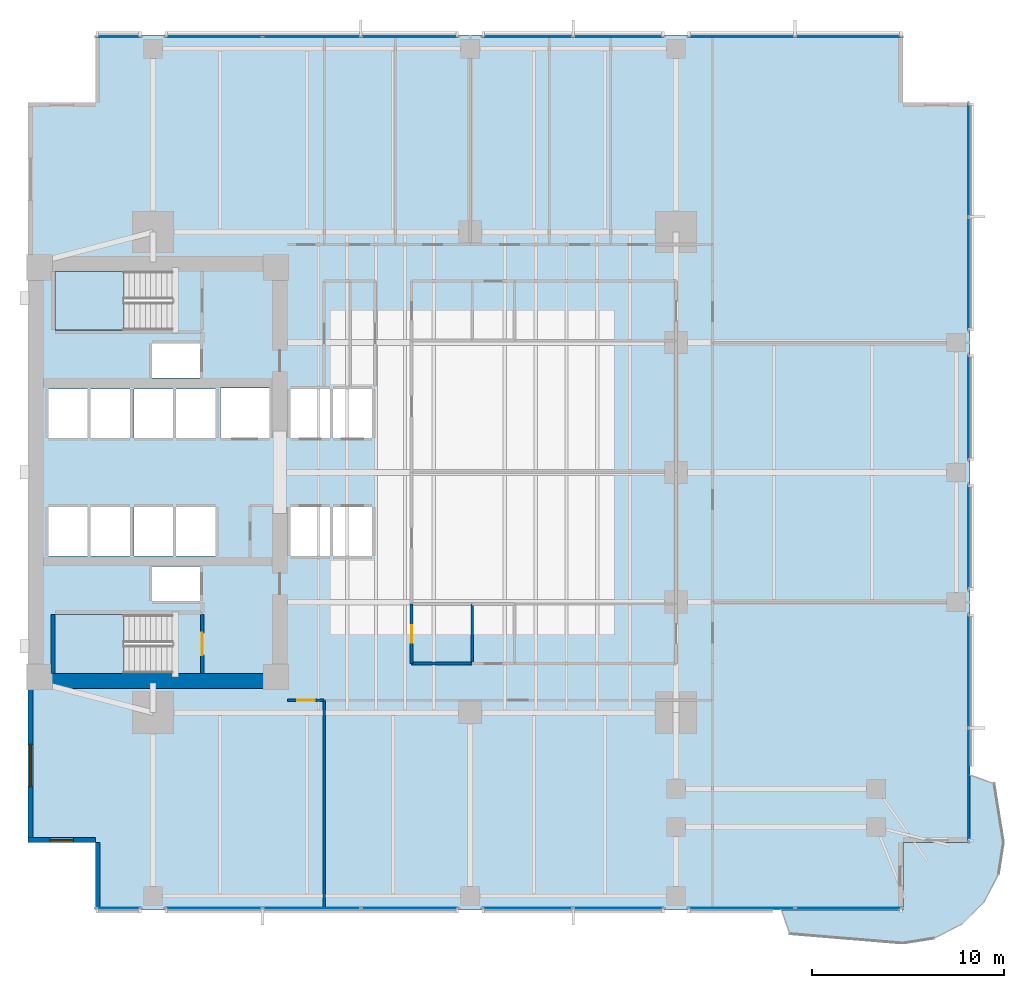
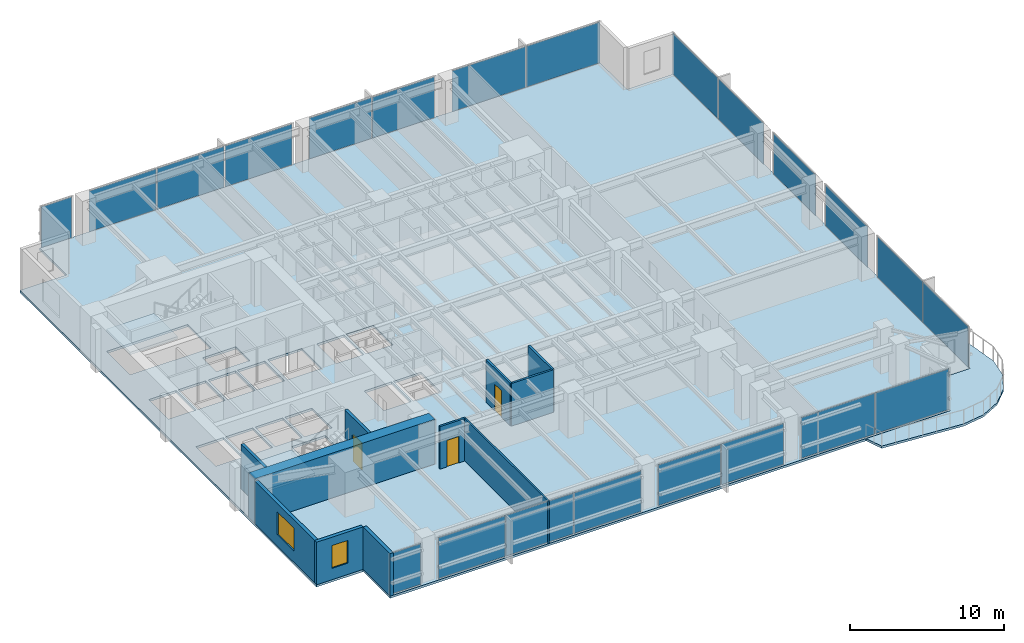
# One storey, part 7 of 15: 22 plates, 11 walls, 4 slabs, 3 doors, 2 windows, 5 openings, 14 elements without a shape of their own.
"""IFC4 building model written with IfcOpenShell, lengths in metres."""

from ifc_helpers import new_model, si_unit, direction, frame, frame_2d, origin, origin_2d, place, context, subcontext, project, spatial, polyline, rectangle, outline, extrude, material, layer, layer_set, type_object, element, fill, aggregate, save


model = new_model("IFC4")

# Units and contexts
model_context = context("Model", 3, precision=1e-05, world=origin(), true_north=direction((0.0, 1.0)))
body_context = subcontext(model_context, "Body", "Model", "MODEL_VIEW")
ifc_project = project(units=[si_unit("LENGTHUNIT", "METRE"), si_unit("AREAUNIT", "SQUARE_METRE"), si_unit("VOLUMEUNIT", "CUBIC_METRE"), si_unit("PLANEANGLEUNIT", "RADIAN"), si_unit("MASSUNIT", "GRAM", prefix="KILO")], contexts=[model_context])

# Site, building, storey
site_placement = place(None, origin())
site = spatial("IfcSite", under=ifc_project, at=site_placement, CompositionType="ELEMENT")
building_placement = place(site_placement, origin())
building = spatial("IfcBuilding", under=site, at=building_placement, Name="Kinhvarn Gate Tower", CompositionType="ELEMENT")
storey_placement = place(building_placement, frame((0.0, 0.0, 54.0)))
storey = spatial("IfcBuildingStorey", under=building, at=storey_placement, Name="L13", CompositionType="ELEMENT", Elevation=54.0)

# Curtain wall, plate
ifc_material_1 = material(Name="Anodised aluminium AW-6063", Category="aluminium")
ifc_layer_1 = layer(ifc_material_1, 0.179931640625)
ifc_layer_set_1 = layer_set([ifc_layer_1], Name="Anodised aluminium AW-6063")
curtain_wall_type = type_object("IfcCurtainWallType", Name="CW-SYS-2", PredefinedType="NOTDEFINED", material=ifc_layer_set_1)
curtain_wall_1_placement = place(storey_placement, origin())
curtain_wall_1 = element("IfcCurtainWall", 1, at=curtain_wall_1_placement, inside=storey, type_object=curtain_wall_type, Name="Curtain Wall CW2 (L13)", PredefinedType="NOTDEFINED")
ifc_material_2 = material(Name="Clear low-e double glazing", Category="glass")
ifc_layer_2 = layer(ifc_material_2, 0.031982421875)
ifc_layer_set_2 = layer_set([ifc_layer_2], Name="Clear low-e double glazing")
plate_type = type_object("IfcPlateType", Name="CW-PNL-VIS", PredefinedType="CURTAIN_PANEL", material=ifc_layer_set_2)
plate_1_placement = place(storey_placement, frame((9.2099609375, 2.590087890625, 0.070068359375), z_axis=(0.0, 0.0, 1.0), x_axis=(1.0, 0.0, 0.0)))
plate_1 = element("IfcPlate", 2, at=plate_1_placement, type_object=plate_type, Name="CW2 panel 1.1", PredefinedType="CURTAIN_PANEL", context=body_context, shape_type="SweptSolid", body=[
    extrude(rectangle(XDim=2.280029296875, YDim=0.031982421875, at=origin_2d()), origin(), (0.0, 0.0, 1.0), 3.22998046875),
])
aggregate(curtain_wall_1, [plate_1])

# Curtain wall, plates
curtain_wall_2_placement = place(storey_placement, origin())
curtain_wall_2 = element("IfcCurtainWall", 3, at=curtain_wall_2_placement, inside=storey, type_object=curtain_wall_type, Name="Curtain Wall CW2 (L13)", PredefinedType="NOTDEFINED")
plate_2_placement = place(storey_placement, frame((14.154052734375, 2.590087890625, 0.070068359375), z_axis=(0.0, 0.0, 1.0), x_axis=(1.0, 0.0, 0.0)))
plate_2 = element("IfcPlate", 4, at=plate_2_placement, type_object=plate_type, Name="CW2 panel 1.1", PredefinedType="CURTAIN_PANEL", context=body_context, shape_type="SweptSolid", body=[
    extrude(rectangle(XDim=5.00830078125, YDim=0.031982421875, at=origin_2d()), origin(), (0.0, 0.0, 1.0), 3.22998046875),
])
plate_3_placement = place(storey_placement, frame((19.25, 2.590087890625, 0.070068359375), z_axis=(0.0, 0.0, 1.0), x_axis=(1.0, 0.0, 0.0)))
plate_3 = element("IfcPlate", 5, at=plate_3_placement, type_object=plate_type, Name="CW2 panel 2.1", PredefinedType="CURTAIN_PANEL", context=body_context, shape_type="SweptSolid", body=[
    extrude(rectangle(XDim=5.043212890625, YDim=0.031982421875, at=origin_2d()), origin(), (0.0, 0.0, 1.0), 3.22998046875),
])
plate_4_placement = place(storey_placement, frame((24.345947265625, 2.590087890625, 0.070068359375), z_axis=(0.0, 0.0, 1.0), x_axis=(1.0, 0.0, 0.0)))
plate_4 = element("IfcPlate", 6, at=plate_4_placement, type_object=plate_type, Name="CW2 panel 3.1", PredefinedType="CURTAIN_PANEL", context=body_context, shape_type="SweptSolid", body=[
    extrude(rectangle(XDim=5.00830078125, YDim=0.031982421875, at=origin_2d()), origin(), (0.0, 0.0, 1.0), 3.22998046875),
])
aggregate(curtain_wall_2, [plate_2, plate_3, plate_4])

curtain_wall_3_placement = place(storey_placement, origin())
curtain_wall_3 = element("IfcCurtainWall", 7, at=curtain_wall_3_placement, inside=storey, type_object=curtain_wall_type, Name="Curtain Wall CW2 (L13)", PredefinedType="NOTDEFINED")
plate_5_placement = place(storey_placement, frame((30.482421875, 2.590087890625, 0.070068359375), z_axis=(0.0, 0.0, 1.0), x_axis=(1.0, 0.0, 0.0)))
plate_5 = element("IfcPlate", 8, at=plate_5_placement, type_object=plate_type, Name="CW2 panel 1.1", PredefinedType="CURTAIN_PANEL", context=body_context, shape_type="SweptSolid", body=[
    extrude(rectangle(XDim=4.6650390625, YDim=0.031982421875, at=origin_2d()), origin(), (0.0, 0.0, 1.0), 3.22998046875),
])
plate_6_placement = place(storey_placement, frame((35.217529296875, 2.590087890625, 0.070068359375), z_axis=(0.0, 0.0, 1.0), x_axis=(1.0, 0.0, 0.0)))
plate_6 = element("IfcPlate", 9, at=plate_6_placement, type_object=plate_type, Name="CW2 panel 2.1", PredefinedType="CURTAIN_PANEL", context=body_context, shape_type="SweptSolid", body=[
    extrude(rectangle(XDim=4.6650390625, YDim=0.031982421875, at=origin_2d()), origin(), (0.0, 0.0, 1.0), 3.22998046875),
])
aggregate(curtain_wall_3, [plate_5, plate_6])

curtain_wall_4_placement = place(storey_placement, origin())
curtain_wall_4 = element("IfcCurtainWall", 10, at=curtain_wall_4_placement, inside=storey, type_object=curtain_wall_type, Name="Curtain Wall CW2 (L13)", PredefinedType="NOTDEFINED")
plate_7_placement = place(storey_placement, frame((41.6025390625, 2.590087890625, 0.070068359375), z_axis=(0.0, 0.0, 1.0), x_axis=(1.0, 0.0, 0.0)))
plate_7 = element("IfcPlate", 11, at=plate_7_placement, type_object=plate_type, Name="CW2 panel 1.1", PredefinedType="CURTAIN_PANEL", context=body_context, shape_type="SweptSolid", body=[
    extrude(rectangle(XDim=5.5048828125, YDim=0.031982421875, at=origin_2d()), origin(), (0.0, 0.0, 1.0), 3.22998046875),
])
plate_8_placement = place(storey_placement, frame((47.177490234375, 2.590087890625, 0.070068359375), z_axis=(0.0, 0.0, 1.0), x_axis=(1.0, 0.0, 0.0)))
plate_8 = element("IfcPlate", 12, at=plate_8_placement, type_object=plate_type, Name="CW2 panel 2.1", PredefinedType="CURTAIN_PANEL", context=body_context, shape_type="SweptSolid", body=[
    extrude(rectangle(XDim=5.5048828125, YDim=0.031982421875, at=origin_2d()), origin(), (0.0, 0.0, 1.0), 3.22998046875),
])
aggregate(curtain_wall_4, [plate_7, plate_8])

curtain_wall_5_placement = place(storey_placement, origin())
curtain_wall_5 = element("IfcCurtainWall", 13, at=curtain_wall_5_placement, inside=storey, type_object=curtain_wall_type, Name="Curtain Wall CW2 (L13)", PredefinedType="NOTDEFINED")
plate_9_placement = place(storey_placement, frame((47.177490234375, 47.909912109375, 0.070068359375), z_axis=(0.0, 0.0, 1.0), x_axis=(-1.0, 0.0, 0.0)))
plate_9 = element("IfcPlate", 14, at=plate_9_placement, type_object=plate_type, Name="CW2 panel 1.1", PredefinedType="CURTAIN_PANEL", context=body_context, shape_type="SweptSolid", body=[
    extrude(rectangle(XDim=5.5048828125, YDim=0.031982421875, at=origin_2d()), origin(), (0.0, 0.0, 1.0), 3.22998046875),
])
plate_10_placement = place(storey_placement, frame((41.6025390625, 47.909912109375, 0.070068359375), z_axis=(0.0, 0.0, 1.0), x_axis=(-1.0, 0.0, 0.0)))
plate_10 = element("IfcPlate", 15, at=plate_10_placement, type_object=plate_type, Name="CW2 panel 2.1", PredefinedType="CURTAIN_PANEL", context=body_context, shape_type="SweptSolid", body=[
    extrude(rectangle(XDim=5.5048828125, YDim=0.031982421875, at=origin_2d()), origin(), (0.0, 0.0, 1.0), 3.22998046875),
])
aggregate(curtain_wall_5, [plate_9, plate_10])

curtain_wall_6_placement = place(storey_placement, origin())
curtain_wall_6 = element("IfcCurtainWall", 16, at=curtain_wall_6_placement, inside=storey, type_object=curtain_wall_type, Name="Curtain Wall CW2 (L13)", PredefinedType="NOTDEFINED")
plate_11_placement = place(storey_placement, frame((35.217529296875, 47.909912109375, 0.070068359375), z_axis=(0.0, 0.0, 1.0), x_axis=(-1.0, 0.0, 0.0)))
plate_11 = element("IfcPlate", 17, at=plate_11_placement, type_object=plate_type, Name="CW2 panel 1.1", PredefinedType="CURTAIN_PANEL", context=body_context, shape_type="SweptSolid", body=[
    extrude(rectangle(XDim=4.6650390625, YDim=0.031982421875, at=origin_2d()), origin(), (0.0, 0.0, 1.0), 3.22998046875),
])
plate_12_placement = place(storey_placement, frame((30.482421875, 47.909912109375, 0.070068359375), z_axis=(0.0, 0.0, 1.0), x_axis=(-1.0, 0.0, 0.0)))
plate_12 = element("IfcPlate", 18, at=plate_12_placement, type_object=plate_type, Name="CW2 panel 2.1", PredefinedType="CURTAIN_PANEL", context=body_context, shape_type="SweptSolid", body=[
    extrude(rectangle(XDim=4.6650390625, YDim=0.031982421875, at=origin_2d()), origin(), (0.0, 0.0, 1.0), 3.22998046875),
])
aggregate(curtain_wall_6, [plate_11, plate_12])

curtain_wall_7_placement = place(storey_placement, origin())
curtain_wall_7 = element("IfcCurtainWall", 19, at=curtain_wall_7_placement, inside=storey, type_object=curtain_wall_type, Name="Curtain Wall CW2 (L13)", PredefinedType="NOTDEFINED")
plate_13_placement = place(storey_placement, frame((24.345947265625, 47.909912109375, 0.070068359375), z_axis=(0.0, 0.0, 1.0), x_axis=(-1.0, 0.0, 0.0)))
plate_13 = element("IfcPlate", 20, at=plate_13_placement, type_object=plate_type, Name="CW2 panel 1.1", PredefinedType="CURTAIN_PANEL", context=body_context, shape_type="SweptSolid", body=[
    extrude(rectangle(XDim=5.00830078125, YDim=0.031982421875, at=origin_2d()), origin(), (0.0, 0.0, 1.0), 3.22998046875),
])
plate_14_placement = place(storey_placement, frame((19.25, 47.909912109375, 0.070068359375), z_axis=(0.0, 0.0, 1.0), x_axis=(-1.0, 0.0, 0.0)))
plate_14 = element("IfcPlate", 21, at=plate_14_placement, type_object=plate_type, Name="CW2 panel 2.1", PredefinedType="CURTAIN_PANEL", context=body_context, shape_type="SweptSolid", body=[
    extrude(rectangle(XDim=5.043212890625, YDim=0.031982421875, at=origin_2d()), origin(), (0.0, 0.0, 1.0), 3.22998046875),
])
plate_15_placement = place(storey_placement, frame((14.154052734375, 47.909912109375, 0.070068359375), z_axis=(0.0, 0.0, 1.0), x_axis=(-1.0, 0.0, 0.0)))
plate_15 = element("IfcPlate", 22, at=plate_15_placement, type_object=plate_type, Name="CW2 panel 3.1", PredefinedType="CURTAIN_PANEL", context=body_context, shape_type="SweptSolid", body=[
    extrude(rectangle(XDim=5.00830078125, YDim=0.031982421875, at=origin_2d()), origin(), (0.0, 0.0, 1.0), 3.22998046875),
])
aggregate(curtain_wall_7, [plate_13, plate_14, plate_15])

# Curtain wall, plate
curtain_wall_8_placement = place(storey_placement, origin())
curtain_wall_8 = element("IfcCurtainWall", 23, at=curtain_wall_8_placement, inside=storey, type_object=curtain_wall_type, Name="Curtain Wall CW2 (L13)", PredefinedType="NOTDEFINED")
plate_16_placement = place(storey_placement, frame((9.2099609375, 47.909912109375, 0.070068359375), z_axis=(0.0, 0.0, 1.0), x_axis=(-1.0, 0.0, 0.0)))
plate_16 = element("IfcPlate", 24, at=plate_16_placement, type_object=plate_type, Name="CW2 panel 1.1", PredefinedType="CURTAIN_PANEL", context=body_context, shape_type="SweptSolid", body=[
    extrude(rectangle(XDim=2.280029296875, YDim=0.031982421875, at=origin_2d()), origin(), (0.0, 0.0, 1.0), 3.22998046875),
])
aggregate(curtain_wall_8, [plate_16])

# Curtain wall, plates
curtain_wall_9_placement = place(storey_placement, origin())
curtain_wall_9 = element("IfcCurtainWall", 25, at=curtain_wall_9_placement, inside=storey, type_object=curtain_wall_type, Name="Curtain Wall CW2 (L13)", PredefinedType="NOTDEFINED")
plate_17_placement = place(storey_placement, frame((53.409912109375, 8.99755859375, 0.070068359375), z_axis=(0.0, 0.0, 1.0), x_axis=(0.0, 1.0, 0.0)))
plate_17 = element("IfcPlate", 26, at=plate_17_placement, type_object=plate_type, Name="CW2 panel 1.1", PredefinedType="CURTAIN_PANEL", context=body_context, shape_type="SweptSolid", body=[
    extrude(rectangle(XDim=5.85498046875, YDim=0.031982421875, at=origin_2d()), origin(), (0.0, 0.0, 1.0), 3.22998046875),
])
plate_18_placement = place(storey_placement, frame((53.409912109375, 14.922607421875, 0.070068359375), z_axis=(0.0, 0.0, 1.0), x_axis=(0.0, 1.0, 0.0)))
plate_18 = element("IfcPlate", 27, at=plate_18_placement, type_object=plate_type, Name="CW2 panel 2.1", PredefinedType="CURTAIN_PANEL", context=body_context, shape_type="SweptSolid", body=[
    extrude(rectangle(XDim=5.85498046875, YDim=0.031982421875, at=origin_2d()), origin(), (0.0, 0.0, 1.0), 3.22998046875),
])
aggregate(curtain_wall_9, [plate_17, plate_18])

# Curtain wall, plate
curtain_wall_10_placement = place(storey_placement, origin())
curtain_wall_10 = element("IfcCurtainWall", 28, at=curtain_wall_10_placement, inside=storey, type_object=curtain_wall_type, Name="Curtain Wall CW2 (L13)", PredefinedType="NOTDEFINED")
plate_19_placement = place(storey_placement, frame((53.409912109375, 21.875, 0.070068359375), z_axis=(0.0, 0.0, 1.0), x_axis=(0.0, 1.0, 0.0)))
plate_19 = element("IfcPlate", 29, at=plate_19_placement, type_object=plate_type, Name="CW2 panel 1.1", PredefinedType="CURTAIN_PANEL", context=body_context, shape_type="SweptSolid", body=[
    extrude(rectangle(XDim=5.449951171875, YDim=0.031982421875, at=origin_2d()), origin(), (0.0, 0.0, 1.0), 3.22998046875),
])
aggregate(curtain_wall_10, [plate_19])

curtain_wall_11_placement = place(storey_placement, origin())
curtain_wall_11 = element("IfcCurtainWall", 30, at=curtain_wall_11_placement, inside=storey, type_object=curtain_wall_type, Name="Curtain Wall CW2 (L13)", PredefinedType="NOTDEFINED")
plate_20_placement = place(storey_placement, frame((53.409912109375, 28.625, 0.070068359375), z_axis=(0.0, 0.0, 1.0), x_axis=(0.0, 1.0, 0.0)))
plate_20 = element("IfcPlate", 31, at=plate_20_placement, type_object=plate_type, Name="CW2 panel 1.1", PredefinedType="CURTAIN_PANEL", context=body_context, shape_type="SweptSolid", body=[
    extrude(rectangle(XDim=5.449951171875, YDim=0.031982421875, at=origin_2d()), origin(), (0.0, 0.0, 1.0), 3.22998046875),
])
aggregate(curtain_wall_11, [plate_20])

# Curtain wall, plates
curtain_wall_12_placement = place(storey_placement, origin())
curtain_wall_12 = element("IfcCurtainWall", 32, at=curtain_wall_12_placement, inside=storey, type_object=curtain_wall_type, Name="Curtain Wall CW2 (L13)", PredefinedType="NOTDEFINED")
plate_21_placement = place(storey_placement, frame((53.409912109375, 35.577392578125, 0.070068359375), z_axis=(0.0, 0.0, 1.0), x_axis=(0.0, 1.0, 0.0)))
plate_21 = element("IfcPlate", 33, at=plate_21_placement, type_object=plate_type, Name="CW2 panel 1.1", PredefinedType="CURTAIN_PANEL", context=body_context, shape_type="SweptSolid", body=[
    extrude(rectangle(XDim=5.85498046875, YDim=0.031982421875, at=origin_2d()), origin(), (0.0, 0.0, 1.0), 3.22998046875),
])
plate_22_placement = place(storey_placement, frame((53.409912109375, 41.50244140625, 0.070068359375), z_axis=(0.0, 0.0, 1.0), x_axis=(0.0, 1.0, 0.0)))
plate_22 = element("IfcPlate", 34, at=plate_22_placement, type_object=plate_type, Name="CW2 panel 2.1", PredefinedType="CURTAIN_PANEL", context=body_context, shape_type="SweptSolid", body=[
    extrude(rectangle(XDim=5.85498046875, YDim=0.031982421875, at=origin_2d()), origin(), (0.0, 0.0, 1.0), 3.22998046875),
])
aggregate(curtain_wall_12, [plate_21, plate_22])

# Slabs
ifc_material_3 = material(Name="Precast white architectural concrete C40/50", Category="concrete")
ifc_layer_3 = layer(ifc_material_3, 0.179931640625)
ifc_layer_set_3 = layer_set([ifc_layer_3], Name="Precast white architectural concrete C40/50")
slab_type_1 = type_object("IfcSlabType", Name="SLB-BAL-180", PredefinedType="FLOOR", material=ifc_layer_set_3)
slab_1_placement = place(storey_placement, frame((0.0, 0.0, -0.179931640625)))
element("IfcSlab", 35, at=slab_1_placement, inside=storey, type_object=slab_type_1, Name="S-Carve Curved Terrace Balcony Slab L13 (SE)", PredefinedType="FLOOR", context=body_context, shape_type="SweptSolid", body=[
    extrude(outline(polyline([(43.678955078125, 2.5), (44.12890625, 1.24951171875), (50.0, 0.762939453125), (51.618408203125, 1.019287109375), (53.078125, 1.76318359375), (54.23681640625, 2.921875), (54.980712890625, 4.381591796875), (55.237060546875, 6.0), (54.75048828125, 9.054931640625), (53.5, 9.5048828125), (53.5, 6.0), (50.0, 6.0), (50.0, 2.5), (43.678955078125, 2.5)])), origin(), (0.0, 0.0, 1.0), 0.179931640625),
])
ifc_material_4 = material(Name="Concrete C40/50", Category="concrete")
ifc_layer_4 = layer(ifc_material_4, 0.179931640625)
ifc_layer_set_4 = layer_set([ifc_layer_4], Name="Concrete C40/50")
slab_type_2 = type_object("IfcSlabType", Name="SLB-FLR-180", PredefinedType="FLOOR", material=ifc_layer_set_4)
slab_2_placement = place(storey_placement, frame((0.0, 0.0, -0.179931640625)))
element("IfcSlab", 36, at=slab_2_placement, inside=storey, type_object=slab_type_2, Name="Suspended Floor Slab L13", PredefinedType="FLOOR", context=body_context, shape_type="SweptSolid", body=[
    extrude(outline(polyline([(8.0, 2.5), (50.0, 2.5), (50.0, 6.0), (53.5, 6.0), (53.5, 44.5), (50.0, 44.5), (50.0, 48.0), (8.0, 48.0), (8.0, 44.5), (4.5, 44.5), (4.5, 6.0), (8.0, 6.0), (8.0, 2.5)]), holes=[polyline([(5.89990234375, 14.800048828125), (12.0, 14.800048828125), (12.0, 17.85009765625), (5.89990234375, 17.85009765625), (5.89990234375, 14.800048828125)]), polyline([(5.89990234375, 32.64990234375), (12.0, 32.64990234375), (12.0, 35.699951171875), (5.89990234375, 35.699951171875), (5.89990234375, 32.64990234375)]), polyline([(18.14990234375, 20.89990234375), (20.199951171875, 20.89990234375), (20.199951171875, 23.449951171875), (18.14990234375, 23.449951171875), (18.14990234375, 20.89990234375)]), polyline([(20.35009765625, 20.89990234375), (22.39990234375, 20.89990234375), (22.39990234375, 23.449951171875), (20.35009765625, 23.449951171875), (20.35009765625, 20.89990234375)]), polyline([(18.14990234375, 27.050048828125), (20.199951171875, 27.050048828125), (20.199951171875, 29.60009765625), (18.14990234375, 29.60009765625), (18.14990234375, 27.050048828125)]), polyline([(20.35009765625, 27.050048828125), (22.39990234375, 27.050048828125), (22.39990234375, 29.60009765625), (20.35009765625, 29.60009765625), (20.35009765625, 27.050048828125)]), polyline([(5.550048828125, 20.89990234375), (7.60009765625, 20.89990234375), (7.60009765625, 23.449951171875), (5.550048828125, 23.449951171875), (5.550048828125, 20.89990234375)]), polyline([(7.75, 20.89990234375), (9.800048828125, 20.89990234375), (9.800048828125, 23.449951171875), (7.75, 23.449951171875), (7.75, 20.89990234375)]), polyline([(5.550048828125, 27.050048828125), (7.60009765625, 27.050048828125), (7.60009765625, 29.60009765625), (5.550048828125, 29.60009765625), (5.550048828125, 27.050048828125)]), polyline([(7.75, 27.050048828125), (9.800048828125, 27.050048828125), (9.800048828125, 29.60009765625), (7.75, 29.60009765625), (7.75, 27.050048828125)]), polyline([(10.0, 20.89990234375), (12.050048828125, 20.89990234375), (12.050048828125, 23.449951171875), (10.0, 23.449951171875), (10.0, 20.89990234375)]), polyline([(12.199951171875, 20.89990234375), (14.25, 20.89990234375), (14.25, 23.449951171875), (12.199951171875, 23.449951171875), (12.199951171875, 20.89990234375)]), polyline([(10.0, 27.050048828125), (12.050048828125, 27.050048828125), (12.050048828125, 29.60009765625), (10.0, 29.60009765625), (10.0, 27.050048828125)]), polyline([(12.199951171875, 27.050048828125), (14.25, 27.050048828125), (14.25, 29.60009765625), (12.199951171875, 29.60009765625), (12.199951171875, 27.050048828125)]), polyline([(14.5, 27.050048828125), (17.050048828125, 27.050048828125), (17.050048828125, 29.64990234375), (14.5, 29.64990234375), (14.5, 27.050048828125)]), polyline([(10.949951171875, 18.550048828125), (13.449951171875, 18.550048828125), (13.449951171875, 20.35009765625), (10.949951171875, 20.35009765625), (10.949951171875, 18.550048828125)]), polyline([(10.949951171875, 30.14990234375), (13.449951171875, 30.14990234375), (13.449951171875, 31.949951171875), (10.949951171875, 31.949951171875), (10.949951171875, 30.14990234375)])]), origin(), (0.0, 0.0, 1.0), 0.179931640625),
])

# Stair, slab
stair_type = type_object("IfcStairType", Name="STR-DLG-177", PredefinedType="HALF_TURN_STAIR", material=ifc_material_4)
stair_1_placement = place(storey_placement, origin())
stair_1 = element("IfcStair", 37, at=stair_1_placement, inside=storey, type_object=stair_type, Name="L13 Core Smokeproof Exit Stair ST1", PredefinedType="HALF_TURN_STAIR")
ifc_layer_5 = layer(ifc_material_4, 0.199951171875)
ifc_layer_set_5 = layer_set([ifc_layer_5], Name="Concrete C40/50")
slab_type_3 = type_object("IfcSlabType", Name="SLB-ST-LND", PredefinedType="LANDING", material=ifc_layer_set_5)
slab_3_placement = place(storey_placement, frame((0.0, 0.0, 1.574951171875)))
slab_3 = element("IfcSlab", 38, at=slab_3_placement, type_object=slab_type_3, Name="ST1 landing 1", PredefinedType="LANDING", context=body_context, shape_type="SweptSolid", body=[
    extrude(outline(polyline([(9.47998046875, 17.85009765625), (5.89990234375, 17.85009765625), (5.89990234375, 14.800048828125), (9.47998046875, 14.800048828125), (9.47998046875, 17.85009765625)])), origin(), (0.0, 0.0, 1.0), 0.199951171875),
])
aggregate(stair_1, [slab_3])

stair_2_placement = place(storey_placement, origin())
stair_2 = element("IfcStair", 39, at=stair_2_placement, inside=storey, type_object=stair_type, Name="L13 Core Smokeproof Exit Stair ST2", PredefinedType="HALF_TURN_STAIR")
slab_4_placement = place(storey_placement, frame((0.0, 0.0, 1.574951171875)))
slab_4 = element("IfcSlab", 40, at=slab_4_placement, type_object=slab_type_3, Name="ST2 landing 1", PredefinedType="LANDING", context=body_context, shape_type="SweptSolid", body=[
    extrude(outline(polyline([(9.47998046875, 35.699951171875), (5.89990234375, 35.699951171875), (5.89990234375, 32.64990234375), (9.47998046875, 32.64990234375), (9.47998046875, 35.699951171875)])), origin(), (0.0, 0.0, 1.0), 0.199951171875),
])
aggregate(stair_2, [slab_4])

# Wall
ifc_material_5 = material(Name="Concrete C70/85", Category="concrete")
ifc_layer_6 = layer(ifc_material_5, 0.800048828125)
ifc_layer_set_6 = layer_set([ifc_layer_6], Name="Concrete C70/85")
wall_type_1 = type_object("IfcWallType", Name="WL-CORE-800", PredefinedType="SHEAR", material=ifc_layer_set_6)
wall_1_placement = place(storey_placement, frame((4.5, 14.39990234375, 0.0), z_axis=(0.0, 0.0, 1.0), x_axis=(1.0, 0.0, 0.0)))
element("IfcWall", 41, at=wall_1_placement, inside=storey, type_object=wall_type_1, Name="Core South Shear Wall L13 800 mm", PredefinedType="SHEAR", context=body_context, shape_type="SweptSolid", body=[
    extrude(rectangle(XDim=13.5, YDim=0.800048828125, at=frame_2d((6.75, 0.0))), origin(), (0.0, 0.0, 1.0), 3.550048828125),
])

# Wall, opening, window
ifc_material_6 = material(Name="Fired architectural terracotta", Category="masonry")
ifc_layer_7 = layer(ifc_material_6, 0.25)
ifc_layer_set_7 = layer_set([ifc_layer_7], Name="Fired architectural terracotta")
wall_type_2 = type_object("IfcWallType", Name="WL-EXT-250", PredefinedType="SOLIDWALL", material=ifc_layer_set_7)
wall_2_placement = place(storey_placement, frame((4.625, 14.0, 0.0), z_axis=(0.0, 0.0, 1.0), x_axis=(0.0, -1.0, 0.0)))
wall_2 = element("IfcWall", 42, at=wall_2_placement, inside=storey, type_object=wall_type_2, Name="Exterior Solidwall Wall EW-250 (L13 West-South)", PredefinedType="SOLIDWALL", context=body_context, shape_type="SweptSolid", body=[
    extrude(rectangle(XDim=8.0, YDim=0.25, at=frame_2d((4.0, 0.0))), origin(), (0.0, 0.0, 1.0), 3.3701171875),
])
opening_1_placement = place(wall_2_placement, frame((2.89990234375, 0.0, 0.89990234375)))
opening_1 = element("IfcOpeningElement", 43, at=opening_1_placement, cuts=wall_2, Name="Opening WN-01", PredefinedType="OPENING", context=body_context, shape_type="SweptSolid", body=[
    extrude(rectangle(XDim=2.199951171875, YDim=1.800048828125, at=frame_2d((1.10009765625, 0.89990234375))), frame((0.0, 0.135009765625, 0.0), z_axis=(0.0, -1.0, 0.0), x_axis=(1.0, 0.0, 0.0)), (0.0, 0.0, 1.0), 0.27001953125),
])
window_type_1 = type_object("IfcWindowType", Name="WIN-RIB-2200", PartitioningType="SINGLE_PANEL", PredefinedType="WINDOW", material=ifc_material_2)
window_1_placement = place(opening_1_placement, origin())
window_1 = element("IfcWindow", 44, at=window_1_placement, inside=storey, type_object=window_type_1, Name="West Flank Double-Glazed Ribbon Window 2200x1800 mm (L13)", OverallHeight=1.800048828125, OverallWidth=2.199951171875, PartitioningType="SINGLE_PANEL", PredefinedType="WINDOW", context=body_context, shape_type="SweptSolid", body=[
    extrude(rectangle(XDim=2.199951171875, YDim=1.800048828125, at=frame_2d((1.10009765625, 0.89990234375))), frame((0.0, 0.030029296875, 0.0), z_axis=(0.0, -1.0, 0.0), x_axis=(1.0, 0.0, 0.0)), (0.0, 0.0, 1.0), 0.06005859375),
])
fill(opening_1, window_1)

wall_3_placement = place(storey_placement, frame((4.5, 6.125, 0.0), z_axis=(0.0, 0.0, 1.0), x_axis=(1.0, 0.0, 0.0)))
wall_3 = element("IfcWall", 45, at=wall_3_placement, inside=storey, type_object=wall_type_2, Name="Exterior Solidwall Wall EW-250 (L13 SW-Notch-1)", PredefinedType="SOLIDWALL", context=body_context, shape_type="SweptSolid", body=[
    extrude(rectangle(XDim=3.5, YDim=0.25, at=frame_2d((1.75, 0.0))), origin(), (0.0, 0.0, 1.0), 3.3701171875),
])
opening_2_placement = place(wall_3_placement, frame((1.14990234375, 0.0, 0.89990234375)))
opening_2 = element("IfcOpeningElement", 46, at=opening_2_placement, cuts=wall_3, Name="Opening WN-02", PredefinedType="OPENING", context=body_context, shape_type="SweptSolid", body=[
    extrude(rectangle(XDim=1.199951171875, YDim=1.800048828125, at=frame_2d((0.60009765625, 0.89990234375))), frame((0.0, 0.135009765625, 0.0), z_axis=(0.0, -1.0, 0.0), x_axis=(1.0, 0.0, 0.0)), (0.0, 0.0, 1.0), 0.27001953125),
])
window_type_2 = type_object("IfcWindowType", Name="WIN-NTC-1200", PartitioningType="SINGLE_PANEL", PredefinedType="WINDOW", material=ifc_material_2)
window_2_placement = place(opening_2_placement, origin())
window_2 = element("IfcWindow", 47, at=window_2_placement, inside=storey, type_object=window_type_2, Name="Recessed Corner Notch Punched Window 1200x1800 mm (L13)", OverallHeight=1.800048828125, OverallWidth=1.199951171875, PartitioningType="SINGLE_PANEL", PredefinedType="WINDOW", context=body_context, shape_type="SweptSolid", body=[
    extrude(rectangle(XDim=1.199951171875, YDim=1.800048828125, at=frame_2d((0.60009765625, 0.89990234375))), frame((0.0, 0.030029296875, 0.0), z_axis=(0.0, -1.0, 0.0), x_axis=(1.0, 0.0, 0.0)), (0.0, 0.0, 1.0), 0.06005859375),
])
fill(opening_2, window_2)

# Walls
wall_4_placement = place(storey_placement, frame((8.125, 6.0, 0.0), z_axis=(0.0, 0.0, 1.0), x_axis=(0.0, -1.0, 0.0)))
element("IfcWall", 48, at=wall_4_placement, inside=storey, type_object=wall_type_2, Name="Exterior Solidwall Wall EW-250 (L13 SW-Notch-2)", PredefinedType="SOLIDWALL", context=body_context, shape_type="SweptSolid", body=[
    extrude(rectangle(XDim=3.5, YDim=0.25, at=frame_2d((1.75, 0.0))), origin(), (0.0, 0.0, 1.0), 3.3701171875),
])
ifc_material_7 = material(Name="Gypsum acoustic partition board")
ifc_layer_8 = layer(ifc_material_7, 0.14990234375)
ifc_layer_set_8 = layer_set([ifc_layer_8], Name="Gypsum acoustic partition board")
wall_type_3 = type_object("IfcWallType", Name="WL-PLM-150", PredefinedType="PLUMBINGWALL", material=ifc_layer_set_8)
wall_5_placement = place(storey_placement, frame((27.60009765625, 15.300048828125, 0.0), z_axis=(0.0, 0.0, 1.0), x_axis=(0.0, 1.0, 0.0)))
element("IfcWall", 49, at=wall_5_placement, inside=storey, type_object=wall_type_3, Name="Interior Partition PLW-150 (L13)", PredefinedType="PLUMBINGWALL", context=body_context, shape_type="SweptSolid", body=[
    extrude(rectangle(XDim=3.099853515625, YDim=0.14990234375, at=frame_2d((1.5498046875, 0.0))), origin(), (0.0, 0.0, 1.0), 3.3701171875),
])

# Wall, opening, door
ifc_layer_9 = layer(ifc_material_7, 0.14990234375)
ifc_layer_set_9 = layer_set([ifc_layer_9], Name="Gypsum acoustic partition board")
wall_type_4 = type_object("IfcWallType", Name="WL-PLM-150F", PredefinedType="PLUMBINGWALL", material=ifc_layer_set_9)
wall_6_placement = place(storey_placement, frame((24.449951171875, 15.300048828125, 0.0), z_axis=(0.0, 0.0, 1.0), x_axis=(0.0, 1.0, 0.0)))
wall_6 = element("IfcWall", 50, at=wall_6_placement, inside=storey, type_object=wall_type_4, Name="Interior Partition PLW-150F (L13)", PredefinedType="PLUMBINGWALL", context=body_context, shape_type="SweptSolid", body=[
    extrude(rectangle(XDim=3.099853515625, YDim=0.14990234375, at=frame_2d((1.5498046875, 0.0))), origin(), (0.0, 0.0, 1.0), 3.3701171875),
])
opening_3_placement = place(wall_6_placement, frame((1.10009765625, 0.0, 0.0)))
opening_3 = element("IfcOpeningElement", 51, at=opening_3_placement, cuts=wall_6, Name="Opening FD-04", PredefinedType="OPENING", context=body_context, shape_type="SweptSolid", body=[
    extrude(rectangle(XDim=0.89990234375, YDim=2.10009765625, at=frame_2d((0.449951171875, 1.050048828125))), frame((0.0, 0.0849609375, 0.0), z_axis=(0.0, -1.0, 0.0), x_axis=(1.0, 0.0, 0.0)), (0.0, 0.0, 1.0), 0.169921875),
])
door_type_1 = type_object("IfcDoorType", Name="DR-FD-900", OperationType="NOTDEFINED", PredefinedType="DOOR", material=ifc_material_1)
door_1_placement = place(opening_3_placement, origin())
door_1 = element("IfcDoor", 52, at=door_1_placement, inside=storey, type_object=door_type_1, Name="Rated Riser & Service Closet Fire Door 900x2100 mm (L13)", OperationType="SINGLE_SWING_RIGHT", OverallHeight=2.10009765625, OverallWidth=0.89990234375, PredefinedType="DOOR", context=body_context, shape_type="SweptSolid", body=[
    extrude(rectangle(XDim=0.89990234375, YDim=2.10009765625, at=frame_2d((0.449951171875, 1.050048828125))), frame((0.0, 0.02490234375, 0.0), z_axis=(0.0, -1.0, 0.0), x_axis=(1.0, 0.0, 0.0)), (0.0, 0.0, 1.0), 0.050048828125),
])
fill(opening_3, door_1)

# Walls
wall_7_placement = place(storey_placement, frame((24.449951171875, 15.300048828125, 0.0), z_axis=(0.0, 0.0, 1.0), x_axis=(1.0, 0.0, 0.0)))
element("IfcWall", 53, at=wall_7_placement, inside=storey, type_object=wall_type_4, Name="Interior Partition PLW-150F (L13)", PredefinedType="PLUMBINGWALL", context=body_context, shape_type="SweptSolid", body=[
    extrude(rectangle(XDim=3.150146484375, YDim=0.14990234375, at=frame_2d((1.5751953125, 0.0))), origin(), (0.0, 0.0, 1.0), 3.3701171875),
])
ifc_layer_10 = layer(ifc_material_7, 0.1201171875)
ifc_layer_set_10 = layer_set([ifc_layer_10], Name="Gypsum acoustic partition board")
wall_type_5 = type_object("IfcWallType", Name="WL-PRT-120", PredefinedType="PARTITIONING", material=ifc_layer_set_10)
wall_8_placement = place(storey_placement, frame((19.89990234375, 2.510009765625, 0.0), z_axis=(0.0, 0.0, 1.0), x_axis=(0.0, 1.0, 0.0)))
element("IfcWall", 54, at=wall_8_placement, inside=storey, type_object=wall_type_5, Name="Interior Partition PW-120 (L13)", PredefinedType="PARTITIONING", context=body_context, shape_type="SweptSolid", body=[
    extrude(rectangle(XDim=10.889892578125, YDim=0.1201171875, at=frame_2d((5.44482421875, 0.0))), origin(), (0.0, 0.0, 1.0), 3.3701171875),
])

# Wall, opening, door
ifc_layer_11 = layer(ifc_material_7, 0.14990234375)
ifc_layer_set_11 = layer_set([ifc_layer_11], Name="Gypsum acoustic partition board")
wall_type_6 = type_object("IfcWallType", Name="WL-PRT-150F", PredefinedType="PARTITIONING", material=ifc_layer_set_11)
wall_9_placement = place(storey_placement, frame((18.0, 13.39990234375, 0.0), z_axis=(0.0, 0.0, 1.0), x_axis=(1.0, 0.0, 0.0)))
wall_9 = element("IfcWall", 55, at=wall_9_placement, inside=storey, type_object=wall_type_6, Name="Interior Partition PW-150F (L13)", PredefinedType="PARTITIONING", context=body_context, shape_type="SweptSolid", body=[
    extrude(rectangle(XDim=1.89990234375, YDim=0.14990234375, at=frame_2d((0.949951171875, 0.0))), origin(), (0.0, 0.0, 1.0), 3.3701171875),
])
opening_4_placement = place(wall_9_placement, frame((0.5, 0.0, 0.0)))
opening_4 = element("IfcOpeningElement", 56, at=opening_4_placement, cuts=wall_9, Name="Opening ID-03", PredefinedType="OPENING", context=body_context, shape_type="SweptSolid", body=[
    extrude(rectangle(XDim=0.89990234375, YDim=2.10009765625, at=frame_2d((0.449951171875, 1.050048828125))), frame((0.0, 0.0849609375, 0.0), z_axis=(0.0, -1.0, 0.0), x_axis=(1.0, 0.0, 0.0)), (0.0, 0.0, 1.0), 0.169921875),
])
door_type_2 = type_object("IfcDoorType", Name="DR-INT-900", OperationType="NOTDEFINED", PredefinedType="DOOR", material=ifc_material_1)
door_2_placement = place(opening_4_placement, origin())
door_2 = element("IfcDoor", 57, at=door_2_placement, inside=storey, type_object=door_type_2, Name="Cellular Office & Restroom Door 900x2100 mm (L13)", OperationType="SINGLE_SWING_RIGHT", OverallHeight=2.10009765625, OverallWidth=0.89990234375, PredefinedType="DOOR", context=body_context, shape_type="SweptSolid", body=[
    extrude(rectangle(XDim=0.89990234375, YDim=2.10009765625, at=frame_2d((0.449951171875, 1.050048828125))), frame((0.0, 0.02490234375, 0.0), z_axis=(0.0, -1.0, 0.0), x_axis=(1.0, 0.0, 0.0)), (0.0, 0.0, 1.0), 0.050048828125),
])
fill(opening_4, door_2)

# Wall
ifc_layer_12 = layer(ifc_material_4, 0.199951171875)
ifc_layer_set_12 = layer_set([ifc_layer_12], Name="Concrete C40/50")
wall_type_7 = type_object("IfcWallType", Name="WL-SHF-200", PredefinedType="SOLIDWALL", material=ifc_layer_set_12)
wall_10_placement = place(storey_placement, frame((5.7900390625, 14.800048828125, 0.0), z_axis=(0.0, 0.0, 1.0), x_axis=(0.0, 1.0, 0.0)))
element("IfcWall", 58, at=wall_10_placement, inside=storey, type_object=wall_type_7, Name="Stair ST1 West Shaft Wall (L13)", PredefinedType="SOLIDWALL", context=body_context, shape_type="SweptSolid", body=[
    extrude(rectangle(XDim=3.050048828125, YDim=0.199951171875, at=frame_2d((1.52490234375, 0.0))), origin(), (0.0, 0.0, 1.0), 3.550048828125),
])

# Wall, opening, door
wall_11_placement = place(storey_placement, frame((13.56005859375, 14.800048828125, 0.0), z_axis=(0.0, 0.0, 1.0), x_axis=(0.0, 1.0, 0.0)))
wall_11 = element("IfcWall", 59, at=wall_11_placement, inside=storey, type_object=wall_type_7, Name="Stair ST1 East Entry Wall (L13)", PredefinedType="SOLIDWALL", context=body_context, shape_type="SweptSolid", body=[
    extrude(rectangle(XDim=3.050048828125, YDim=0.199951171875, at=frame_2d((1.52490234375, 0.0))), origin(), (0.0, 0.0, 1.0), 3.550048828125),
])
opening_5_placement = place(wall_11_placement, frame((0.949951171875, 0.0, 0.0)))
opening_5 = element("IfcOpeningElement", 60, at=opening_5_placement, cuts=wall_11, Name="Opening FD-01", PredefinedType="OPENING", context=body_context, shape_type="SweptSolid", body=[
    extrude(rectangle(XDim=1.14990234375, YDim=2.14990234375, at=frame_2d((0.574951171875, 1.074951171875))), frame((0.0, 0.10986328125, 0.0), z_axis=(0.0, -1.0, 0.0), x_axis=(1.0, 0.0, 0.0)), (0.0, 0.0, 1.0), 0.219970703125),
])
door_type_3 = type_object("IfcDoorType", Name="DR-ST-1150", OperationType="NOTDEFINED", PredefinedType="DOOR", material=ifc_material_1)
door_3_placement = place(opening_5_placement, origin())
door_3 = element("IfcDoor", 61, at=door_3_placement, inside=storey, type_object=door_type_3, Name="Exit Stair ST1 Fire Door (L13)", OperationType="SINGLE_SWING_LEFT", OverallHeight=2.14990234375, OverallWidth=1.14990234375, PredefinedType="DOOR", context=body_context, shape_type="SweptSolid", body=[
    extrude(rectangle(XDim=1.14990234375, YDim=2.14990234375, at=frame_2d((0.574951171875, 1.074951171875))), frame((0.0, 0.02490234375, 0.0), z_axis=(0.0, -1.0, 0.0), x_axis=(1.0, 0.0, 0.0)), (0.0, 0.0, 1.0), 0.050048828125),
])
fill(opening_5, door_3)

save(model, "model.ifc")
